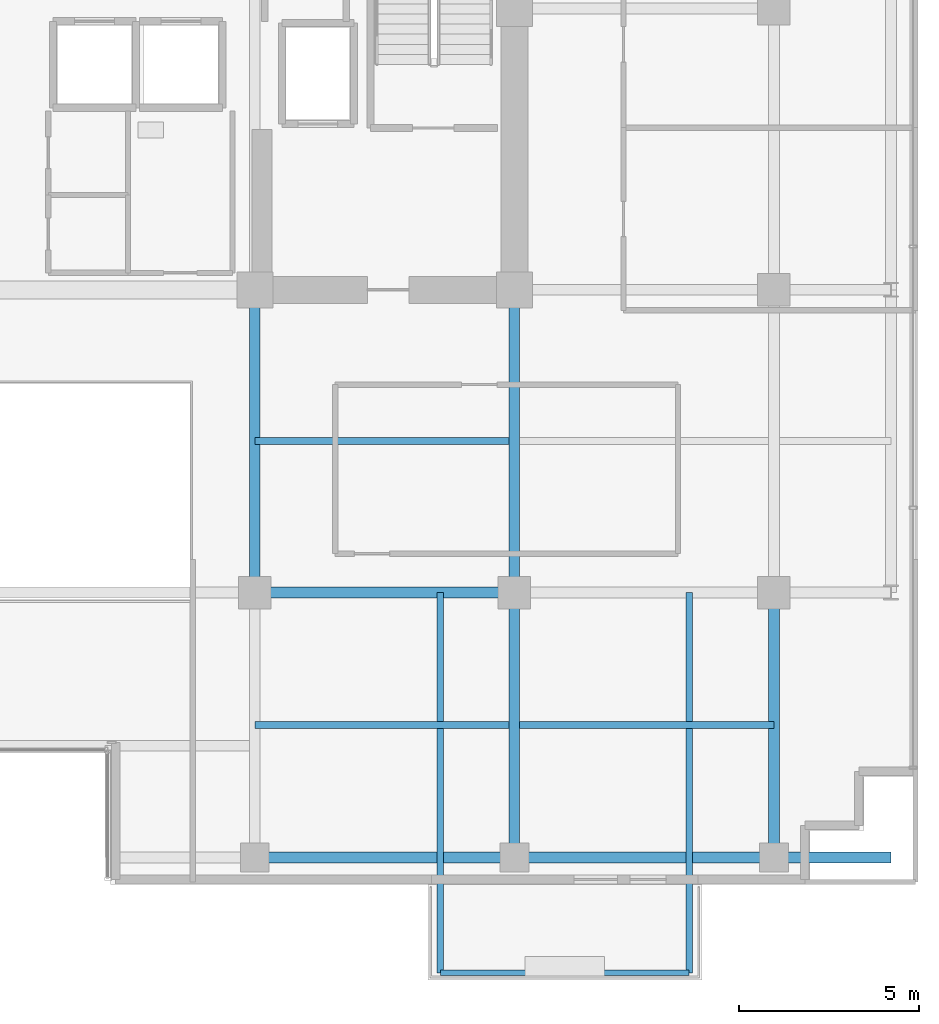
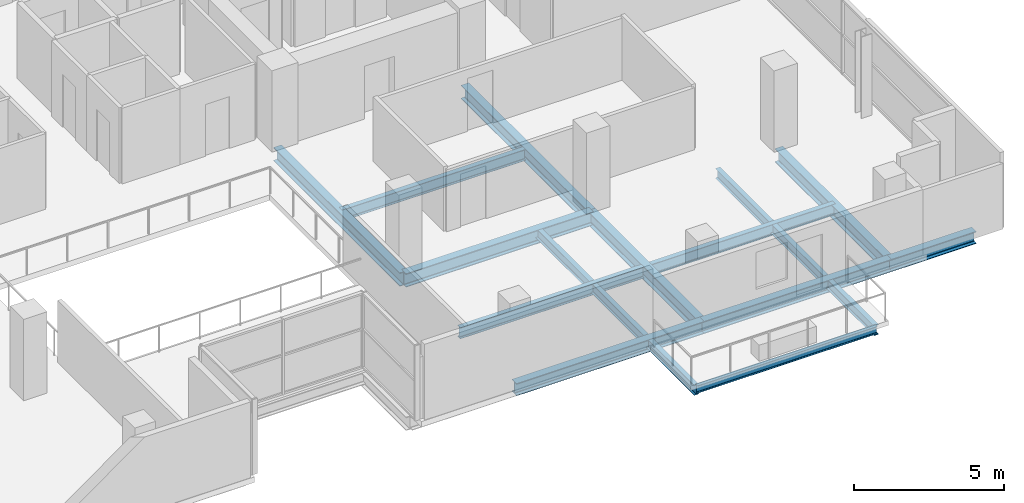
# One storey, part 11 of 27: 14 beams.
"""IFC4 building model written with IfcOpenShell, lengths in metres."""

from ifc_helpers import new_model, si_unit, direction, frame, origin, origin_2d, place, context, subcontext, project, spatial, i_section, extrude, material, material_profile, profile_set, type_object, element, save


model = new_model("IFC4")

# Units and contexts
model_context = context("Model", 3, precision=1e-05, world=origin(), true_north=direction((0.0, 1.0)))
body_context = subcontext(model_context, "Body", "Model", "MODEL_VIEW")
ifc_project = project(units=[si_unit("LENGTHUNIT", "METRE"), si_unit("AREAUNIT", "SQUARE_METRE"), si_unit("VOLUMEUNIT", "CUBIC_METRE"), si_unit("PLANEANGLEUNIT", "RADIAN"), si_unit("MASSUNIT", "GRAM", prefix="KILO")], contexts=[model_context])

# Site, building, storey
site_placement = place(None, origin())
site = spatial("IfcSite", under=ifc_project, at=site_placement, CompositionType="ELEMENT")
building_placement = place(site_placement, origin())
building = spatial("IfcBuilding", under=site, at=building_placement, Name="Zarnakvel Exchange Tower", CompositionType="ELEMENT")
storey_placement = place(building_placement, frame((0.0, 0.0, 96.699951171875)))
storey = spatial("IfcBuildingStorey", under=building, at=storey_placement, Name="L26", CompositionType="ELEMENT", Elevation=96.699951171875)

# Beams
ifc_material = material(Name="Steel S355", Category="steel")
ifc_material_profile_1 = material_profile(ifc_material, i_section(OverallWidth=0.18994140625, OverallDepth=0.449951171875, WebThickness=0.009521484375, FlangeThickness=0.0146484375, FilletRadius=0.02099609375, at=origin_2d()))
ifc_profile_set_1 = profile_set([ifc_material_profile_1], Name="Steel S355")
beam_type_1 = type_object("IfcBeamType", Name="B-05", PredefinedType="JOIST", material=ifc_profile_set_1)
for number, where, z_axis, x_axis, name in (
    (1, (7.199951171875, -13.27490234375, -0.449951171875), (1.0, 0.0, 0.0), (0.0, 1.0, 0.0), "L26 Composite Floor Secondary Joist"),
    (2, (14.550048828125, -13.27490234375, -0.449951171875), (1.0, 0.0, 0.0), (0.0, 1.0, 0.0), "L26 Composite Floor Secondary Joist"),
    (3, (7.199951171875, -5.39990234375, -0.449951171875), (1.0, 0.0, 0.0), (0.0, 1.0, 0.0), "L26 Composite Floor Secondary Joist"),
):
    element("IfcBeam", number, at=place(storey_placement, frame(where, z_axis=z_axis, x_axis=x_axis)), inside=storey, type_object=beam_type_1, Name=name, PredefinedType="JOIST", context=body_context, shape_type="SweptSolid", body=[
        extrude(i_section(OverallWidth=0.18994140625, OverallDepth=0.449951171875, WebThickness=0.009521484375, FlangeThickness=0.0146484375, FilletRadius=0.02099609375, at=origin_2d()), origin(), (0.0, 0.0, 1.0), 7.050048828125),
    ])
ifc_material_profile_2 = material_profile(ifc_material, i_section(OverallWidth=0.179931640625, OverallDepth=0.39990234375, WebThickness=0.008544921875, FlangeThickness=0.013427734375, FilletRadius=0.02099609375, at=origin_2d()))
ifc_profile_set_2 = profile_set([ifc_material_profile_2], Name="Steel S355")
beam_type_2 = type_object("IfcBeamType", Name="B-06", PredefinedType="JOIST", material=ifc_profile_set_2)
for number, where, z_axis, x_axis, name in (
    (4, (12.35009765625, -9.60009765625, -0.425048828125), (0.0, -1.0, 0.0), (1.0, 0.0, 0.0), "L26 Continuous Back-Spanned Balcony Beam W"),
    (5, (19.25, -9.60009765625, -0.425048828125), (0.0, -1.0, 0.0), (1.0, 0.0, 0.0), "L26 Continuous Back-Spanned Balcony Beam E"),
):
    element("IfcBeam", number, at=place(storey_placement, frame(where, z_axis=z_axis, x_axis=x_axis)), inside=storey, type_object=beam_type_2, Name=name, PredefinedType="JOIST", context=body_context, shape_type="SweptSolid", body=[
        extrude(i_section(OverallWidth=0.179931640625, OverallDepth=0.39990234375, WebThickness=0.008544921875, FlangeThickness=0.013427734375, FilletRadius=0.02099609375, at=origin_2d()), origin(), (0.0, 0.0, 1.0), 10.5498046875),
    ])
ifc_material_profile_3 = material_profile(ifc_material, i_section(OverallWidth=0.14990234375, OverallDepth=0.300048828125, WebThickness=0.007080078125, FlangeThickness=0.0107421875, FilletRadius=0.014892578125, at=origin_2d()))
ifc_profile_set_3 = profile_set([ifc_material_profile_3], Name="Steel S355")
beam_type_3 = type_object("IfcBeamType", Name="B-08", PredefinedType="JOIST", material=ifc_profile_set_3)
beam_1_placement = place(storey_placement, frame((12.35009765625, -20.14990234375, -0.375), z_axis=(1.0, 0.0, 0.0), x_axis=(0.0, 1.0, 0.0)))
element("IfcBeam", 6, at=beam_1_placement, inside=storey, type_object=beam_type_3, Name="L26 Balcony Edge Beam", PredefinedType="JOIST", context=body_context, shape_type="SweptSolid", body=[
    extrude(i_section(OverallWidth=0.14990234375, OverallDepth=0.300048828125, WebThickness=0.007080078125, FlangeThickness=0.0107421875, FilletRadius=0.014892578125, at=origin_2d()), origin(), (0.0, 0.0, 1.0), 6.89990234375),
])
ifc_material_profile_4 = material_profile(ifc_material, i_section(OverallWidth=0.300048828125, OverallDepth=0.550048828125, WebThickness=0.014892578125, FlangeThickness=0.029052734375, FilletRadius=0.027099609375, at=origin_2d()))
ifc_profile_set_4 = profile_set([ifc_material_profile_4], Name="Steel S355")
beam_type_4 = type_object("IfcBeamType", Name="G-05", PredefinedType="BEAM", material=ifc_profile_set_4)
beam_2_placement = place(storey_placement, frame((7.199951171875, -9.60009765625, -0.5), z_axis=(1.0, 0.0, 0.0), x_axis=(0.0, 1.0, 0.0)))
element("IfcBeam", 7, at=beam_2_placement, inside=storey, type_object=beam_type_4, Name="L26 Tower E-W Frame Beam", PredefinedType="BEAM", context=body_context, shape_type="SweptSolid", body=[
    extrude(i_section(OverallWidth=0.300048828125, OverallDepth=0.550048828125, WebThickness=0.014892578125, FlangeThickness=0.029052734375, FilletRadius=0.027099609375, at=origin_2d()), origin(), (0.0, 0.0, 1.0), 7.199951171875),
])
beam_3_placement = place(storey_placement, frame((7.199951171875, -9.60009765625, -0.5), z_axis=(0.0, 1.0, 0.0), x_axis=(-1.0, 0.0, 0.0)))
element("IfcBeam", 8, at=beam_3_placement, inside=storey, type_object=beam_type_4, Name="L26 Tower N-S Frame Beam", PredefinedType="BEAM", context=body_context, shape_type="SweptSolid", body=[
    extrude(i_section(OverallWidth=0.300048828125, OverallDepth=0.550048828125, WebThickness=0.014892578125, FlangeThickness=0.029052734375, FilletRadius=0.027099609375, at=origin_2d()), origin(), (0.0, 0.0, 1.0), 8.400146484375),
])
beam_4_placement = place(storey_placement, frame((14.39990234375, -16.949951171875, -0.5), z_axis=(0.0, 1.0, 0.0), x_axis=(-1.0, 0.0, 0.0)))
element("IfcBeam", 9, at=beam_4_placement, inside=storey, type_object=beam_type_4, Name="L26 Tower N-S Frame Beam", PredefinedType="BEAM", context=body_context, shape_type="SweptSolid", body=[
    extrude(i_section(OverallWidth=0.300048828125, OverallDepth=0.550048828125, WebThickness=0.014892578125, FlangeThickness=0.029052734375, FilletRadius=0.027099609375, at=origin_2d()), origin(), (0.0, 0.0, 1.0), 7.349853515625),
])
beam_5_placement = place(storey_placement, frame((14.39990234375, -9.60009765625, -0.5), z_axis=(0.0, 1.0, 0.0), x_axis=(-1.0, 0.0, 0.0)))
element("IfcBeam", 10, at=beam_5_placement, inside=storey, type_object=beam_type_4, Name="L26 Tower N-S Frame Beam", PredefinedType="BEAM", context=body_context, shape_type="SweptSolid", body=[
    extrude(i_section(OverallWidth=0.300048828125, OverallDepth=0.550048828125, WebThickness=0.014892578125, FlangeThickness=0.029052734375, FilletRadius=0.027099609375, at=origin_2d()), origin(), (0.0, 0.0, 1.0), 8.400146484375),
])
beam_6_placement = place(storey_placement, frame((21.60009765625, -16.949951171875, -0.5), z_axis=(0.0, 1.0, 0.0), x_axis=(-1.0, 0.0, 0.0)))
element("IfcBeam", 11, at=beam_6_placement, inside=storey, type_object=beam_type_4, Name="L26 Tower N-S Frame Beam", PredefinedType="BEAM", context=body_context, shape_type="SweptSolid", body=[
    extrude(i_section(OverallWidth=0.300048828125, OverallDepth=0.550048828125, WebThickness=0.014892578125, FlangeThickness=0.029052734375, FilletRadius=0.027099609375, at=origin_2d()), origin(), (0.0, 0.0, 1.0), 7.349853515625),
])
ifc_material_profile_5 = material_profile(ifc_material, i_section(OverallWidth=0.300048828125, OverallDepth=0.5, WebThickness=0.014404296875, FlangeThickness=0.028076171875, FilletRadius=0.027099609375, at=origin_2d()))
ifc_profile_set_5 = profile_set([ifc_material_profile_5], Name="Steel S355")
beam_type_5 = type_object("IfcBeamType", Name="SP-02", PredefinedType="SPANDREL", material=ifc_profile_set_5)
beam_7_placement = place(storey_placement, frame((7.199951171875, -16.949951171875, -0.474853515625), z_axis=(1.0, 0.0, 0.0), x_axis=(0.0, 1.0, 0.0)))
element("IfcBeam", 12, at=beam_7_placement, inside=storey, type_object=beam_type_5, Name="L26 Tower E-W Frame Beam", PredefinedType="SPANDREL", context=body_context, shape_type="SweptSolid", body=[
    extrude(i_section(OverallWidth=0.300048828125, OverallDepth=0.5, WebThickness=0.014404296875, FlangeThickness=0.028076171875, FilletRadius=0.027099609375, at=origin_2d()), origin(), (0.0, 0.0, 1.0), 7.199951171875),
])
beam_8_placement = place(storey_placement, frame((14.39990234375, -16.949951171875, -0.474853515625), z_axis=(1.0, 0.0, 0.0), x_axis=(0.0, 1.0, 0.0)))
element("IfcBeam", 13, at=beam_8_placement, inside=storey, type_object=beam_type_5, Name="L26 Tower E-W Frame Beam", PredefinedType="SPANDREL", context=body_context, shape_type="SweptSolid", body=[
    extrude(i_section(OverallWidth=0.300048828125, OverallDepth=0.5, WebThickness=0.014404296875, FlangeThickness=0.028076171875, FilletRadius=0.027099609375, at=origin_2d()), origin(), (0.0, 0.0, 1.0), 7.2001953125),
])
beam_9_placement = place(storey_placement, frame((21.60009765625, -16.949951171875, -0.474853515625), z_axis=(1.0, 0.0, 0.0), x_axis=(0.0, 1.0, 0.0)))
element("IfcBeam", 14, at=beam_9_placement, inside=storey, type_object=beam_type_5, Name="L26 South-East Corner Spandrel", PredefinedType="SPANDREL", context=body_context, shape_type="SweptSolid", body=[
    extrude(i_section(OverallWidth=0.300048828125, OverallDepth=0.5, WebThickness=0.014404296875, FlangeThickness=0.028076171875, FilletRadius=0.027099609375, at=origin_2d()), origin(), (0.0, 0.0, 1.0), 3.25),
])

save(model, "model.ifc")
